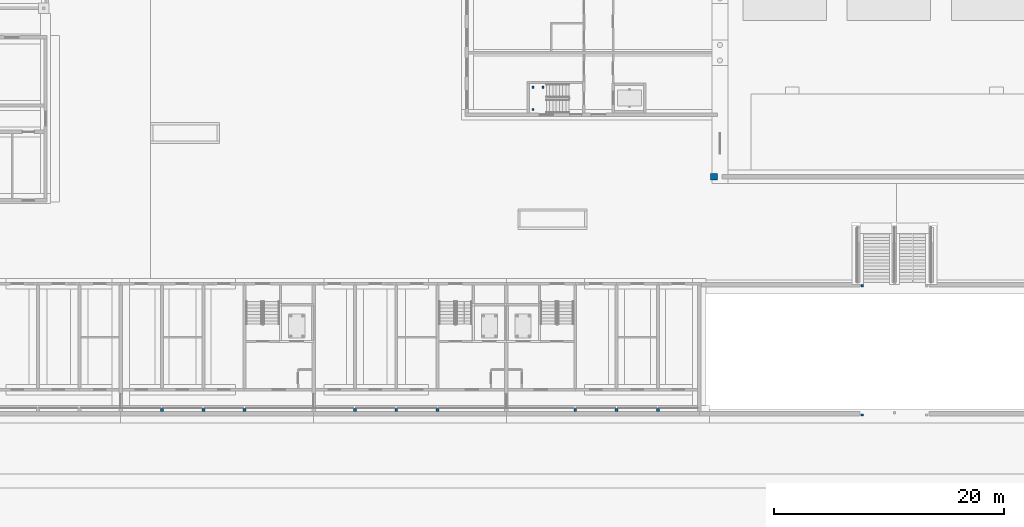
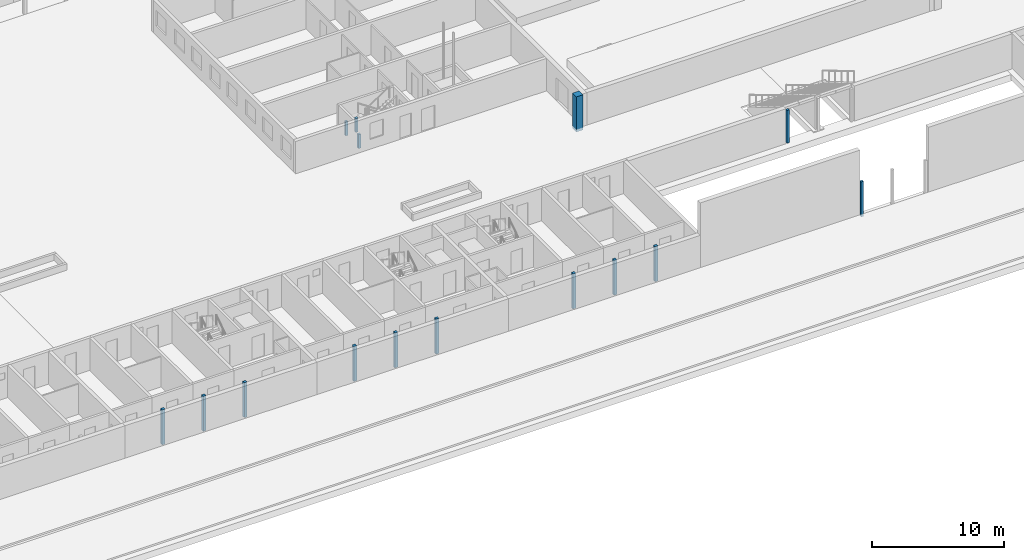
# One storey, part 8 of 112: 15 columns.
"""IFC4 building model written with IfcOpenShell, lengths in metres."""

from ifc_helpers import new_model, si_unit, direction, frame, origin, origin_2d, place, context, subcontext, project, spatial, rectangle, extrude, material, material_profile, profile_set, type_object, element, save


model = new_model("IFC4")

# Units and contexts
model_context = context("Model", 3, precision=1e-05, world=origin(), true_north=direction((0.0, 1.0)))
body_context = subcontext(model_context, "Body", "Model", "MODEL_VIEW")
ifc_project = project(units=[si_unit("LENGTHUNIT", "METRE"), si_unit("AREAUNIT", "SQUARE_METRE"), si_unit("VOLUMEUNIT", "CUBIC_METRE"), si_unit("PLANEANGLEUNIT", "RADIAN"), si_unit("MASSUNIT", "GRAM", prefix="KILO")], contexts=[model_context])

# Site, building, storey
site_placement = place(None, origin())
site = spatial("IfcSite", under=ifc_project, at=site_placement, CompositionType="ELEMENT")
building_placement = place(site_placement, origin())
building = spatial("IfcBuilding", under=site, at=building_placement, Name="Ridgestep Commons", CompositionType="ELEMENT")
storey_placement = place(building_placement, origin())
storey = spatial("IfcBuildingStorey", under=building, at=storey_placement, Name="L00", CompositionType="ELEMENT", Elevation=0.0)

# Columns
ifc_material_1 = material(Name="Precast concrete C40/50", Category="concrete")
ifc_material_profile_1 = material_profile(ifc_material_1, rectangle(XDim=0.60009765625, YDim=0.60009765625, at=origin_2d()), Name="Buttress pier 600 x 600")
ifc_profile_set_1 = profile_set([ifc_material_profile_1], Name="Precast concrete C40/50")
column_type_1 = type_object("IfcColumnType", Name="Buttress pier 600 x 600", PredefinedType="COLUMN", material=ifc_profile_set_1)
column_1_placement = place(storey_placement, frame((114.10009765625, 32.199951171875, -0.25), z_axis=(0.0, 0.0, 1.0), x_axis=(1.0, 0.0, 0.0)))
element("IfcColumn", 1, at=column_1_placement, inside=storey, type_object=column_type_1, Name="Hall vault buttress pier", PredefinedType="COLUMN", context=body_context, shape_type="SweptSolid", body=[
    extrude(rectangle(XDim=0.60009765625, YDim=0.60009765625, at=origin_2d()), origin(), (0.0, 0.0, 1.0), 3.25),
])
ifc_material_2 = material(Name="Precast concrete C40/50", Category="concrete")
ifc_material_profile_2 = material_profile(ifc_material_2, rectangle(XDim=0.199951171875, YDim=0.199951171875, at=origin_2d()), Name="Community landing post 200")
ifc_profile_set_2 = profile_set([ifc_material_profile_2], Name="Precast concrete C40/50")
column_type_2 = type_object("IfcColumnType", Name="Community landing post 200", PredefinedType="COLUMN", material=ifc_profile_set_2)
for number, where, z_axis, x_axis, name in (
    (2, (98.31005859375, 38.050048828125, 0.0), (0.0, 0.0, 1.0), (1.0, 0.0, 0.0), "Landing post"),
    (3, (98.31005859375, 40.0, 0.0), (0.0, 0.0, 1.0), (1.0, 0.0, 0.0), "Landing post"),
    (4, (99.18994140625, 40.0, 0.0), (0.0, 0.0, 1.0), (1.0, 0.0, 0.0), "Landing post"),
):
    element("IfcColumn", number, at=place(storey_placement, frame(where, z_axis=z_axis, x_axis=x_axis)), inside=storey, type_object=column_type_2, Name=name, PredefinedType="COLUMN", context=body_context, shape_type="SweptSolid", body=[
        extrude(rectangle(XDim=0.199951171875, YDim=0.199951171875, at=origin_2d()), origin(), (0.0, 0.0, 1.0), 1.300048828125),
    ])
column_2_placement = place(storey_placement, frame((127.0, 22.699951171875, -0.25), z_axis=(0.0, 0.0, 1.0), x_axis=(1.0, 0.0, 0.0)))
element("IfcColumn", 5, at=column_2_placement, inside=storey, type_object=column_type_2, Name="Landing post", PredefinedType="COLUMN", context=body_context, shape_type="SweptSolid", body=[
    extrude(rectangle(XDim=0.199951171875, YDim=0.199951171875, at=origin_2d()), origin(), (0.0, 0.0, 1.0), 3.050048828125),
])
column_3_placement = place(storey_placement, frame((127.0, 11.449951171875, -0.25), z_axis=(0.0, 0.0, 1.0), x_axis=(1.0, 0.0, 0.0)))
element("IfcColumn", 6, at=column_3_placement, inside=storey, type_object=column_type_2, Name="Landing post", PredefinedType="COLUMN", context=body_context, shape_type="SweptSolid", body=[
    extrude(rectangle(XDim=0.199951171875, YDim=0.199951171875, at=origin_2d()), origin(), (0.0, 0.0, 1.0), 3.25),
])
ifc_material_3 = material(Name="Precast concrete C40/50", Category="concrete")
ifc_material_profile_3 = material_profile(ifc_material_3, rectangle(XDim=0.25, YDim=0.25, at=origin_2d()), Name="PC 250x250")
ifc_profile_set_3 = profile_set([ifc_material_profile_3], Name="Precast concrete C40/50")
column_type_3 = type_object("IfcColumnType", Name="Loggia column 250 x 250", PredefinedType="COLUMN", material=ifc_profile_set_3)
for number, where, z_axis, x_axis, name in (
    (7, (66.0, 11.875, -0.25), (0.0, 0.0, 1.0), (1.0, 0.0, 0.0), "Loggia column A L00"),
    (8, (69.60009765625, 11.875, -0.25), (0.0, 0.0, 1.0), (1.0, 0.0, 0.0), "Loggia column A L00"),
    (9, (73.199951171875, 11.875, -0.25), (0.0, 0.0, 1.0), (1.0, 0.0, 0.0), "Loggia column A L00"),
    (10, (82.800048828125, 11.875, -0.25), (0.0, 0.0, 1.0), (1.0, 0.0, 0.0), "Loggia column A L00"),
    (11, (86.39990234375, 11.875, -0.25), (0.0, 0.0, 1.0), (1.0, 0.0, 0.0), "Loggia column A L00"),
    (12, (90.0, 11.875, -0.25), (0.0, 0.0, 1.0), (1.0, 0.0, 0.0), "Loggia column A L00"),
    (13, (102.0, 11.875, -0.25), (0.0, 0.0, 1.0), (1.0, 0.0, 0.0), "Loggia column A L00"),
    (14, (105.60009765625, 11.875, -0.25), (0.0, 0.0, 1.0), (1.0, 0.0, 0.0), "Loggia column A L00"),
    (15, (109.199951171875, 11.875, -0.25), (0.0, 0.0, 1.0), (1.0, 0.0, 0.0), "Loggia column A L00"),
):
    element("IfcColumn", number, at=place(storey_placement, frame(where, z_axis=z_axis, x_axis=x_axis)), inside=storey, type_object=column_type_3, Name=name, PredefinedType="COLUMN", context=body_context, shape_type="SweptSolid", body=[
        extrude(rectangle(XDim=0.25, YDim=0.25, at=origin_2d()), origin(), (0.0, 0.0, 1.0), 3.25),
    ])

save(model, "model.ifc")
